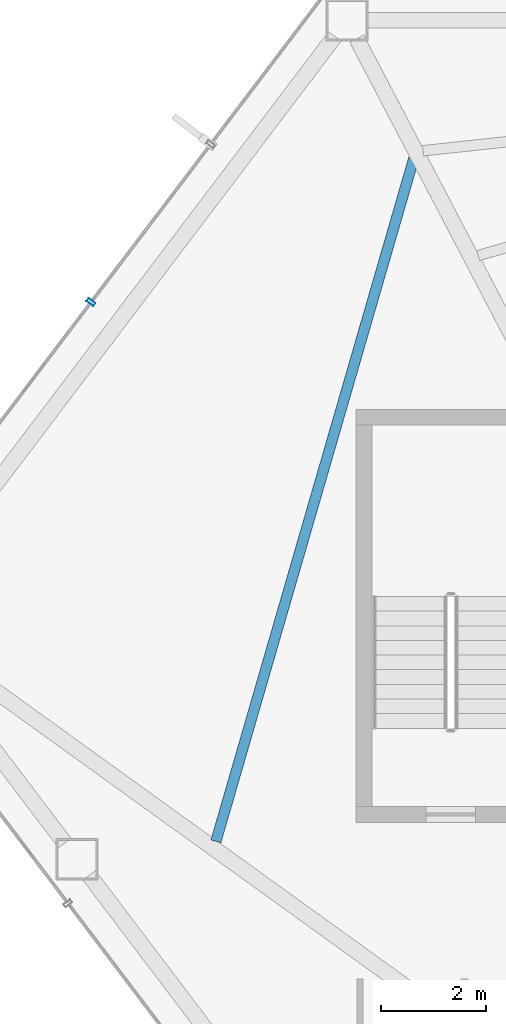
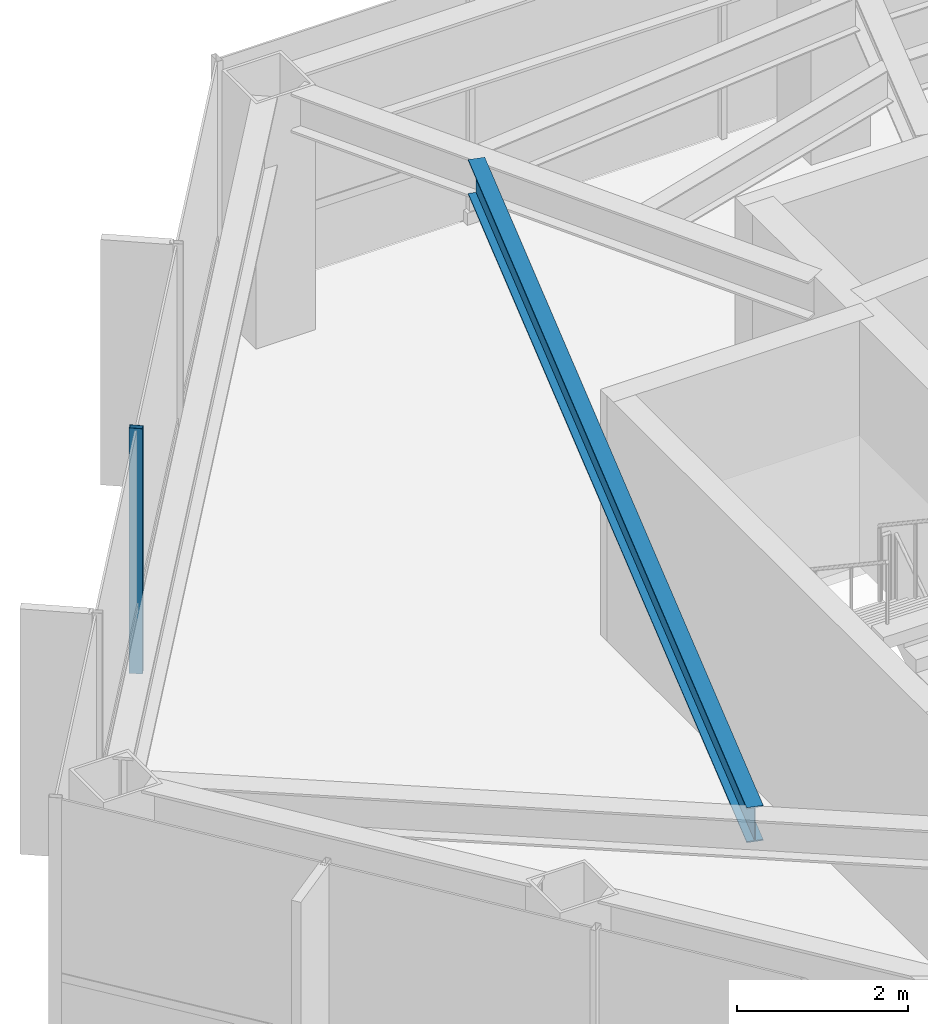
# One storey, part 11 of 29: 1 beam, 1 member, 1 element without a shape of its own.
"""IFC4 building model written with IfcOpenShell, lengths in metres."""

from ifc_helpers import new_model, si_unit, direction, frame, origin, origin_2d, place, context, subcontext, project, spatial, hollow_rectangle, i_section, extrude, material, layer, layer_set, material_profile, profile_set, type_object, element, aggregate, save


model = new_model("IFC4")

# Units and contexts
model_context = context("Model", 3, precision=1e-05, world=origin(), true_north=direction((0.0, 1.0)))
body_context = subcontext(model_context, "Body", "Model", "MODEL_VIEW")
ifc_project = project(units=[si_unit("LENGTHUNIT", "METRE"), si_unit("AREAUNIT", "SQUARE_METRE"), si_unit("VOLUMEUNIT", "CUBIC_METRE"), si_unit("PLANEANGLEUNIT", "RADIAN"), si_unit("MASSUNIT", "GRAM", prefix="KILO")], contexts=[model_context])

# Site, building, storey
site_placement = place(None, origin())
site = spatial("IfcSite", under=ifc_project, at=site_placement, CompositionType="ELEMENT")
building_placement = place(site_placement, origin())
building = spatial("IfcBuilding", under=site, at=building_placement, Name="Zarrinselat Tower", CompositionType="ELEMENT")
storey_placement = place(building_placement, frame((0.0, 0.0, 134.639892578125)))
storey = spatial("IfcBuildingStorey", under=building, at=storey_placement, Name="L32", CompositionType="ELEMENT", Elevation=134.639892578125)

# Beam
ifc_material_1 = material(Name="Steel S355J2", Category="steel")
ifc_material_profile_1 = material_profile(ifc_material_1, i_section(OverallWidth=0.199951171875, OverallDepth=0.5, WebThickness=0.01025390625, FlangeThickness=0.01611328125, at=origin_2d()), Name="IPE 500")
ifc_profile_set_1 = profile_set([ifc_material_profile_1], Name="Steel S355J2")
beam_type = type_object("IfcBeamType", Name="BM-IPE500", PredefinedType="JOIST", material=ifc_profile_set_1)
beam_placement = place(storey_placement, frame((22.394287109375, 32.784912109375, 3.25), z_axis=(0.278293361775, 0.960496124298, 0.0), x_axis=(-0.960496124298, 0.278293361775, 0.0)))
element("IfcBeam", 1, at=beam_placement, inside=storey, type_object=beam_type, Name="L32 Composite Floor Joist 10-1", PredefinedType="JOIST", context=body_context, shape_type="SweptSolid", body=[
    extrude(i_section(OverallWidth=0.199951171875, OverallDepth=0.5, WebThickness=0.01025390625, FlangeThickness=0.01611328125, at=origin_2d()), origin(), (0.0, 0.0, 1.0), 13.604736328125),
])

# Curtain wall, member
ifc_material_2 = material(Name="Extruded Aluminium Alloy EN AW-6063 T6", Category="aluminium")
ifc_layer = layer(ifc_material_2, 0.175048828125)
ifc_layer_set = layer_set([ifc_layer], Name="Extruded Aluminium Alloy EN AW-6063 T6")
curtain_wall_type = type_object("IfcCurtainWallType", Name="CWS-HTL", PredefinedType="NOTDEFINED", material=ifc_layer_set)
curtain_wall_placement = place(storey_placement, origin())
curtain_wall = element("IfcCurtainWall", 2, at=curtain_wall_placement, inside=storey, type_object=curtain_wall_type, Name="L32 Unitised Curtain Wall CW-L32-E02", PredefinedType="NOTDEFINED")
ifc_material_3 = material(Name="Extruded Aluminium Alloy EN AW-6063 T6", Category="aluminium")
ifc_material_profile_2 = material_profile(ifc_material_3, hollow_rectangle(XDim=0.070068359375, YDim=0.159912109375, WallThickness=0.00390625, at=origin_2d()), Name="RHS 160x70x4")
ifc_profile_set_2 = profile_set([ifc_material_profile_2], Name="Extruded Aluminium Alloy EN AW-6063 T6")
member_type = type_object("IfcMemberType", Name="MEM-CW-MUL2", PredefinedType="MULLION", material=ifc_profile_set_2)
member_placement = place(storey_placement, frame((20.001953125, 43.10498046875, 0.0), z_axis=(0.0, 0.0, 1.0), x_axis=(-0.603859211262, -0.797090994162, 0.0)))
member = element("IfcMember", 3, at=member_placement, type_object=member_type, Name="CW-L32-E02 Mullion 2", PredefinedType="MULLION", context=body_context, shape_type="SweptSolid", body=[
    extrude(hollow_rectangle(XDim=0.070068359375, YDim=0.159912109375, WallThickness=0.00390625, at=origin_2d()), origin(), (0.0, 0.0, 1.0), 3.5),
])
aggregate(curtain_wall, [member])

save(model, "model.ifc")
